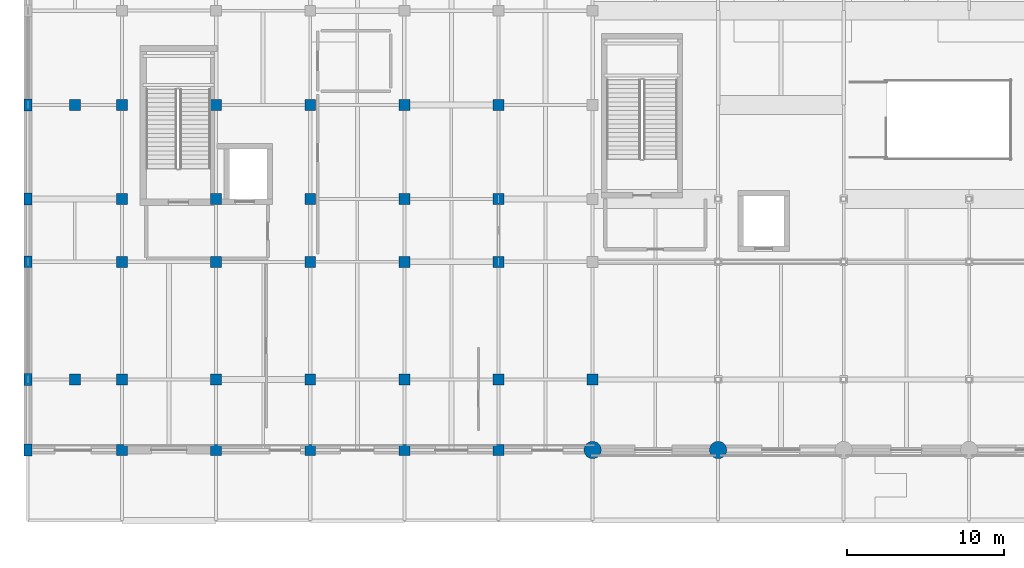
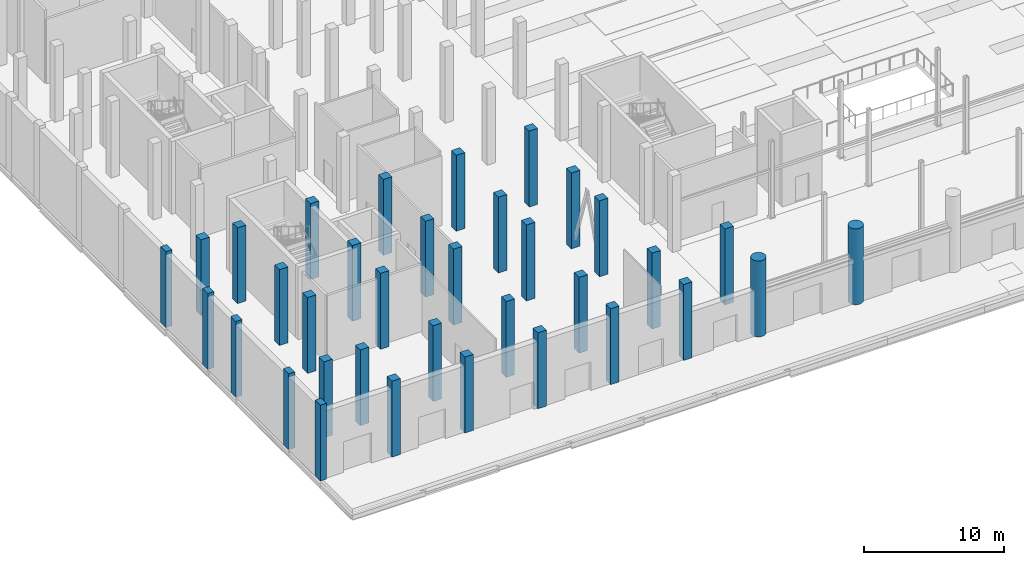
# One storey, part 1 of 140: 35 columns.
"""IFC4 building model written with IfcOpenShell, lengths in metres."""

from ifc_helpers import new_model, si_unit, direction, frame, origin, origin_2d, place, context, subcontext, project, spatial, rectangle, circle, extrude, material, material_profile, profile_set, type_object, element, save


model = new_model("IFC4")

# Units and contexts
model_context = context("Model", 3, precision=1e-05, world=origin(), true_north=direction((0.0, 1.0)))
body_context = subcontext(model_context, "Body", "Model", "MODEL_VIEW")
ifc_project = project(units=[si_unit("LENGTHUNIT", "METRE"), si_unit("AREAUNIT", "SQUARE_METRE"), si_unit("VOLUMEUNIT", "CUBIC_METRE"), si_unit("PLANEANGLEUNIT", "RADIAN"), si_unit("MASSUNIT", "GRAM", prefix="KILO")], contexts=[model_context])

# Site, building, storey
site_placement = place(None, origin())
site = spatial("IfcSite", under=ifc_project, at=site_placement, CompositionType="ELEMENT")
building_placement = place(site_placement, origin())
building = spatial("IfcBuilding", under=site, at=building_placement, Name="Verrall Gate Interchange", CompositionType="ELEMENT")
storey_placement = place(building_placement, origin())
storey = spatial("IfcBuildingStorey", under=building, at=storey_placement, Name="L01", CompositionType="ELEMENT", Elevation=0.0)

# Columns
ifc_material_1 = material(Name="Concrete CSA A23.1 40 MPa (Class N)", Category="concrete")
ifc_material_profile_1 = material_profile(ifc_material_1, rectangle(XDim=0.699951171875, YDim=0.699951171875, at=origin_2d()), Name="RC700x700")
ifc_profile_set_1 = profile_set([ifc_material_profile_1], Name="Concrete CSA A23.1 40 MPa (Class N)")
column_type_1 = type_object("IfcColumnType", Name="C-03 Column RC700x700", PredefinedType="COLUMN", material=ifc_profile_set_1)
for number, where, z_axis, x_axis, name in (
    (1, (3.0, 4.5, 0.0), (0.0, 0.0, 1.0), (1.0, 0.0, 0.0), "L01 Column COL-L01-0103 (C-03)"),
    (2, (3.0, 22.0, 0.0), (0.0, 0.0, 1.0), (1.0, 0.0, 0.0), "L01 Column COL-L01-0110 (C-03)"),
    (3, (6.0, 0.0, 0.0), (0.0, 0.0, 1.0), (1.0, 0.0, 0.0), "L01 Column COL-L01-0133 (C-03)"),
    (4, (6.0, 4.5, 0.0), (0.0, 0.0, 1.0), (1.0, 0.0, 0.0), "L01 Column COL-L01-0139 (C-03)"),
    (5, (6.0, 12.0, 0.0), (0.0, 0.0, 1.0), (1.0, 0.0, 0.0), "L01 Column COL-L01-0147 (C-03)"),
    (6, (6.0, 16.0, 0.0), (0.0, 0.0, 1.0), (1.0, 0.0, 0.0), "L01 Column COL-L01-0156 (C-03)"),
    (7, (6.0, 22.0, 0.0), (0.0, 0.0, 1.0), (1.0, 0.0, 0.0), "L01 Column COL-L01-0165 (C-03)"),
    (8, (12.0, 0.0, 0.0), (0.0, 0.0, 1.0), (1.0, 0.0, 0.0), "L01 Column COL-L01-0250 (C-03)"),
    (9, (12.0, 4.5, 0.0), (0.0, 0.0, 1.0), (1.0, 0.0, 0.0), "L01 Column COL-L01-0256 (C-03)"),
    (10, (12.0, 12.0, 0.0), (0.0, 0.0, 1.0), (1.0, 0.0, 0.0), "L01 Column COL-L01-0264 (C-03)"),
    (11, (12.0, 16.0, 0.0), (0.0, 0.0, 1.0), (1.0, 0.0, 0.0), "L01 Column COL-L01-0273 (C-03)"),
    (12, (12.0, 22.0, 0.0), (0.0, 0.0, 1.0), (1.0, 0.0, 0.0), "L01 Column COL-L01-0282 (C-03)"),
    (13, (18.0, 0.0, 0.0), (0.0, 0.0, 1.0), (1.0, 0.0, 0.0), "L01 Column COL-L01-0367 (C-03)"),
    (14, (18.0, 4.5, 0.0), (0.0, 0.0, 1.0), (1.0, 0.0, 0.0), "L01 Column COL-L01-0373 (C-03)"),
    (15, (18.0, 12.0, 0.0), (0.0, 0.0, 1.0), (1.0, 0.0, 0.0), "L01 Column COL-L01-0381 (C-03)"),
    (16, (18.0, 16.0, 0.0), (0.0, 0.0, 1.0), (1.0, 0.0, 0.0), "L01 Column COL-L01-0390 (C-03)"),
    (17, (18.0, 22.0, 0.0), (0.0, 0.0, 1.0), (1.0, 0.0, 0.0), "L01 Column COL-L01-0399 (C-03)"),
    (18, (24.0, 0.0, 0.0), (0.0, 0.0, 1.0), (1.0, 0.0, 0.0), "L01 Column COL-L01-0484 (C-03)"),
    (19, (24.0, 4.5, 0.0), (0.0, 0.0, 1.0), (1.0, 0.0, 0.0), "L01 Column COL-L01-0490 (C-03)"),
    (20, (24.0, 12.0, 0.0), (0.0, 0.0, 1.0), (1.0, 0.0, 0.0), "L01 Column COL-L01-0498 (C-03)"),
    (21, (24.0, 16.0, 0.0), (0.0, 0.0, 1.0), (1.0, 0.0, 0.0), "L01 Column COL-L01-0507 (C-03)"),
    (22, (24.0, 22.0, 0.0), (0.0, 0.0, 1.0), (1.0, 0.0, 0.0), "L01 Column COL-L01-0516 (C-03)"),
    (23, (30.0, 0.0, 0.0), (0.0, 0.0, 1.0), (1.0, 0.0, 0.0), "L01 Column COL-L01-0601 (C-03)"),
    (24, (30.0, 4.5, 0.0), (0.0, 0.0, 1.0), (1.0, 0.0, 0.0), "L01 Column COL-L01-0607 (C-03)"),
    (25, (30.0, 12.0, 0.0), (0.0, 0.0, 1.0), (1.0, 0.0, 0.0), "L01 Column COL-L01-0615 (C-03)"),
    (26, (30.0, 16.0, 0.0), (0.0, 0.0, 1.0), (1.0, 0.0, 0.0), "L01 Column COL-L01-0624 (C-03)"),
    (27, (30.0, 22.0, 0.0), (0.0, 0.0, 1.0), (1.0, 0.0, 0.0), "L01 Column COL-L01-0633 (C-03)"),
    (28, (36.0, 4.5, 0.0), (0.0, 0.0, 1.0), (1.0, 0.0, 0.0), "L01 Column COL-L01-0724 (C-03)"),
):
    element("IfcColumn", number, at=place(storey_placement, frame(where, z_axis=z_axis, x_axis=x_axis)), inside=storey, type_object=column_type_1, Name=name, PredefinedType="COLUMN", context=body_context, shape_type="SweptSolid", body=[
        extrude(rectangle(XDim=0.699951171875, YDim=0.699951171875, at=origin_2d()), origin(), (0.0, 0.0, 1.0), 6.60009765625),
    ])
ifc_material_2 = material(Name="Concrete CSA A23.1 40 MPa (Class C-1)", Category="concrete")
ifc_material_profile_2 = material_profile(ifc_material_2, rectangle(XDim=0.5, YDim=0.75, at=origin_2d()), Name="RC500x750")
ifc_profile_set_2 = profile_set([ifc_material_profile_2], Name="Concrete CSA A23.1 40 MPa (Class C-1)")
column_type_2 = type_object("IfcColumnType", Name="C-05 Pilaster RC500x750", PredefinedType="PILASTER", material=ifc_profile_set_2)
for number, where, z_axis, x_axis, name in (
    (29, (0.0, 0.0, 0.0), (0.0, 0.0, 1.0), (1.0, 0.0, 0.0), "L01 Column COL-L01-0005 (C-05)"),
    (30, (0.0, 4.5, 0.0), (0.0, 0.0, 1.0), (1.0, 0.0, 0.0), "L01 Column COL-L01-0011 (C-05)"),
    (31, (0.0, 12.0, 0.0), (0.0, 0.0, 1.0), (1.0, 0.0, 0.0), "L01 Column COL-L01-0018 (C-05)"),
    (32, (0.0, 16.0, 0.0), (0.0, 0.0, 1.0), (1.0, 0.0, 0.0), "L01 Column COL-L01-0025 (C-05)"),
    (33, (0.0, 22.0, 0.0), (0.0, 0.0, 1.0), (1.0, 0.0, 0.0), "L01 Column COL-L01-0032 (C-05)"),
):
    element("IfcColumn", number, at=place(storey_placement, frame(where, z_axis=z_axis, x_axis=x_axis)), inside=storey, type_object=column_type_2, Name=name, PredefinedType="PILASTER", context=body_context, shape_type="SweptSolid", body=[
        extrude(rectangle(XDim=0.5, YDim=0.75, at=origin_2d()), origin(), (0.0, 0.0, 1.0), 6.60009765625),
    ])
ifc_material_3 = material(Name="Concrete CSA A23.1 40 MPa (Class C-1)", Category="concrete")
ifc_material_profile_3 = material_profile(ifc_material_3, circle(Radius=0.550048828125, at=origin_2d()), Name="RC1100D")
ifc_profile_set_3 = profile_set([ifc_material_profile_3], Name="Concrete CSA A23.1 40 MPa (Class C-1)")
column_type_3 = type_object("IfcColumnType", Name="C-06 Column RC1100D", PredefinedType="COLUMN", material=ifc_profile_set_3)
for number, where, z_axis, x_axis, name in (
    (34, (36.0, 0.0, 0.0), (0.0, 0.0, 1.0), (1.0, 0.0, 0.0), "L01 Column COL-L01-0718 (C-06)"),
    (35, (44.0, 0.0, 0.0), (0.0, 0.0, 1.0), (1.0, 0.0, 0.0), "L01 Column COL-L01-0828 (C-06)"),
):
    element("IfcColumn", number, at=place(storey_placement, frame(where, z_axis=z_axis, x_axis=x_axis)), inside=storey, type_object=column_type_3, Name=name, PredefinedType="COLUMN", context=body_context, shape_type="SweptSolid", body=[
        extrude(circle(Radius=0.550048828125, at=origin_2d()), origin(), (0.0, 0.0, 1.0), 6.60009765625),
    ])

save(model, "model.ifc")
